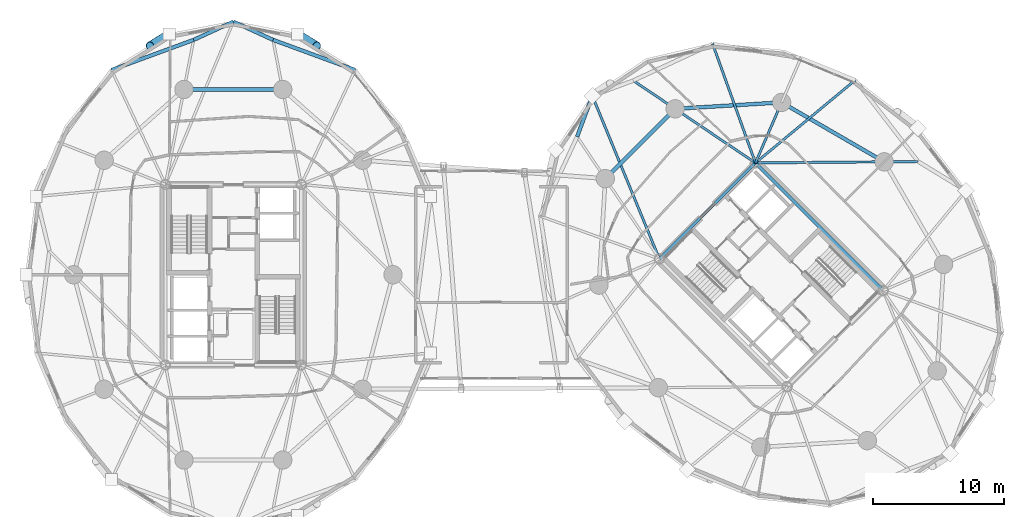
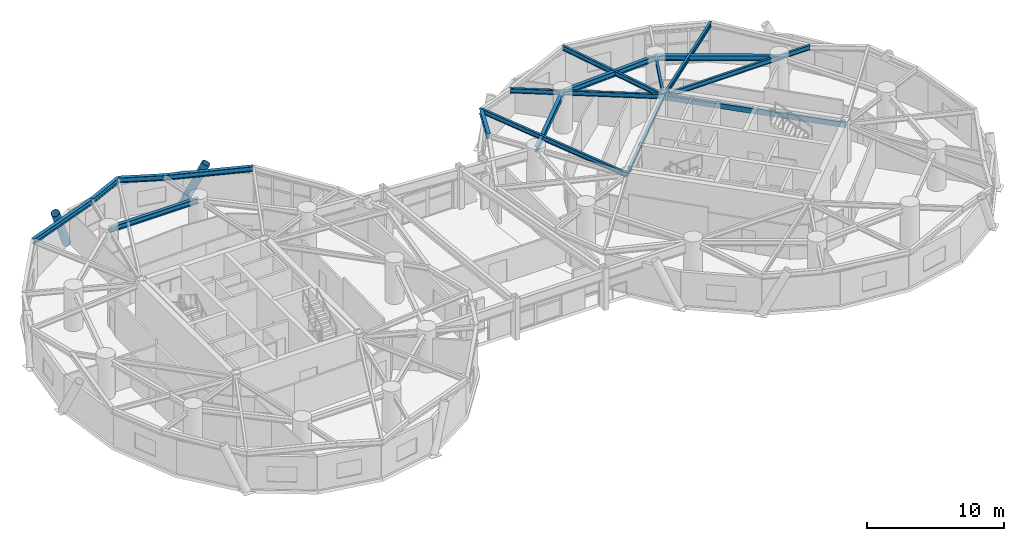
# One storey, part 7 of 20: 17 beams, 2 members.
"""IFC4 building model written with IfcOpenShell, lengths in metres."""

from ifc_helpers import new_model, si_unit, direction, frame, origin, origin_2d, place, context, subcontext, project, spatial, hollow_rectangle, hollow_circle, i_section, extrude, material, material_profile, profile_set, type_object, element, save


model = new_model("IFC4")

# Units and contexts
model_context = context("Model", 3, precision=1e-05, world=origin(), true_north=direction((0.0, 1.0)))
body_context = subcontext(model_context, "Body", "Model", "MODEL_VIEW")
ifc_project = project(units=[si_unit("LENGTHUNIT", "METRE"), si_unit("AREAUNIT", "SQUARE_METRE"), si_unit("VOLUMEUNIT", "CUBIC_METRE"), si_unit("PLANEANGLEUNIT", "RADIAN"), si_unit("MASSUNIT", "GRAM", prefix="KILO")], contexts=[model_context])

# Site, building, storey
site_placement = place(None, origin())
site = spatial("IfcSite", under=ifc_project, at=site_placement, CompositionType="ELEMENT")
building_placement = place(site_placement, origin())
building = spatial("IfcBuilding", under=site, at=building_placement, Name="Cununo Teusaquillo Station Towers", CompositionType="ELEMENT")
storey_placement = place(building_placement, frame((0.0, 0.0, 129.159912109375)))
storey = spatial("IfcBuildingStorey", under=building, at=storey_placement, Name="L41", CompositionType="ELEMENT", Elevation=129.159912109375)

# Beams
ifc_material_1 = material(Name="Steel EN 10025-2 S355J2", Category="steel")
ifc_material_profile_1 = material_profile(ifc_material_1, hollow_rectangle(XDim=0.25, YDim=0.449951171875, WallThickness=0.01611328125, at=origin_2d()), Name="RHS 450x250x16")
ifc_profile_set_1 = profile_set([ifc_material_profile_1], Name="Steel EN 10025-2 S355J2")
beam_type_1 = type_object("IfcBeamType", Name="BM-COUP-1", PredefinedType="USERDEFINED", material=ifc_profile_set_1)
beam_1_placement = place(storey_placement, frame((66.024169921875, 23.29443359375, 3.215087890625), z_axis=(-0.707106781187, 0.707106781187, 0.0), x_axis=(-0.707106781187, -0.707106781187, 0.0)))
element("IfcBeam", 1, at=beam_1_placement, inside=storey, type_object=beam_type_1, Name="L41 Tower B Core Beam 2", ObjectType="COUPLING BEAM", PredefinedType="USERDEFINED", context=body_context, shape_type="SweptSolid", body=[
    extrude(hollow_rectangle(XDim=0.25, YDim=0.449951171875, WallThickness=0.01611328125, at=origin_2d()), origin(), (0.0, 0.0, 1.0), 13.760009765625),
])
ifc_material_2 = material(Name="Steel ASTM A572 Grade 50", Category="steel")
ifc_material_profile_2 = material_profile(ifc_material_2, i_section(OverallWidth=0.180908203125, OverallDepth=0.4169921875, WebThickness=0.010986328125, FlangeThickness=0.018310546875, FilletRadius=0.012939453125, at=origin_2d()), Name="W16X57")
ifc_profile_set_2 = profile_set([ifc_material_profile_2], Name="Steel ASTM A572 Grade 50")
beam_type_2 = type_object("IfcBeamType", Name="BM-JOIST-1", PredefinedType="JOIST", material=ifc_profile_set_2)
beam_2_placement = place(storey_placement, frame((56.29443359375, 33.024169921875, 3.231689453125), z_axis=(0.769727799615, 0.638372238196, 0.0), x_axis=(-0.638372238196, 0.769727799615, 0.0)))
element("IfcBeam", 2, at=beam_2_placement, inside=storey, type_object=beam_type_2, Name="L41 Tower B Radial Spandrel Joist V01", PredefinedType="JOIST", context=body_context, shape_type="SweptSolid", body=[
    extrude(i_section(OverallWidth=0.180908203125, OverallDepth=0.4169921875, WebThickness=0.010986328125, FlangeThickness=0.018310546875, FilletRadius=0.012939453125, at=origin_2d()), origin(), (0.0, 0.0, 1.0), 9.895263671875),
])
beam_3_placement = place(storey_placement, frame((56.29443359375, 33.024169921875, 3.231689453125), z_axis=(-0.338176312038, 0.941082771055, 0.0), x_axis=(-0.941082771055, -0.338176312038, 0.0)))
element("IfcBeam", 3, at=beam_3_placement, inside=storey, type_object=beam_type_2, Name="L41 Tower B Radial Spandrel Joist V03", PredefinedType="JOIST", context=body_context, shape_type="SweptSolid", body=[
    extrude(i_section(OverallWidth=0.180908203125, OverallDepth=0.4169921875, WebThickness=0.010986328125, FlangeThickness=0.018310546875, FilletRadius=0.012939453125, at=origin_2d()), origin(), (0.0, 0.0, 1.0), 9.646484375),
])
beam_4_placement = place(storey_placement, frame((48.975830078125, 25.70556640625, 3.231689453125), z_axis=(-0.380485864505, 0.924786735908, 0.0), x_axis=(-0.924786735908, -0.380485864505, 0.0)))
element("IfcBeam", 4, at=beam_4_placement, inside=storey, type_object=beam_type_2, Name="L41 Tower B Radial Spandrel Joist V05", PredefinedType="JOIST", context=body_context, shape_type="SweptSolid", body=[
    extrude(i_section(OverallWidth=0.180908203125, OverallDepth=0.4169921875, WebThickness=0.010986328125, FlangeThickness=0.018310546875, FilletRadius=0.012939453125, at=origin_2d()), origin(), (0.0, 0.0, 1.0), 13.44580078125),
])
ifc_material_3 = material(Name="Steel ASTM A572 Grade 50", Category="steel")
ifc_material_profile_3 = material_profile(ifc_material_3, i_section(OverallWidth=0.2041015625, OverallDepth=0.35009765625, WebThickness=0.008544921875, FlangeThickness=0.01513671875, FilletRadius=0.011962890625, at=origin_2d()), Name="W14X48")
ifc_profile_set_3 = profile_set([ifc_material_profile_3], Name="Steel ASTM A572 Grade 50")
beam_type_3 = type_object("IfcBeamType", Name="BM-LINTEL-1", PredefinedType="LINTEL", material=ifc_profile_set_3)
beam_5_placement = place(storey_placement, frame((48.975830078125, 25.70556640625, 3.26513671875), z_axis=(0.707106781187, 0.707106781187, 0.0), x_axis=(-0.707106781187, 0.707106781187, 0.0)))
element("IfcBeam", 5, at=beam_5_placement, inside=storey, type_object=beam_type_3, Name="L41 Tower B Core Beam 4", PredefinedType="LINTEL", context=body_context, shape_type="SweptSolid", body=[
    extrude(i_section(OverallWidth=0.2041015625, OverallDepth=0.35009765625, WebThickness=0.008544921875, FlangeThickness=0.01513671875, FilletRadius=0.011962890625, at=origin_2d()), origin(), (0.0, 0.0, 1.0), 10.35009765625),
])
ifc_material_4 = material(Name="Steel ASTM A572 Grade 50", Category="steel")
ifc_material_profile_4 = material_profile(ifc_material_4, i_section(OverallWidth=0.180908203125, OverallDepth=0.4169921875, WebThickness=0.010986328125, FlangeThickness=0.018310546875, FilletRadius=0.012939453125, at=origin_2d()), Name="W16X57")
ifc_profile_set_4 = profile_set([ifc_material_profile_4], Name="Steel ASTM A572 Grade 50")
beam_type_4 = type_object("IfcBeamType", Name="BM-RAD-G2", PredefinedType="BEAM", material=ifc_profile_set_4)
beam_6_placement = place(storey_placement, frame((56.29443359375, 33.024169921875, 3.231689453125), z_axis=(0.999964331255, 0.008446077024, 0.0), x_axis=(-0.008446077024, 0.999964331255, 0.0)))
element("IfcBeam", 6, at=beam_6_placement, inside=storey, type_object=beam_type_4, Name="L41 Tower B Continuous Overhanging Radial Girder 01", PredefinedType="BEAM", context=body_context, shape_type="SweptSolid", body=[
    extrude(i_section(OverallWidth=0.180908203125, OverallDepth=0.4169921875, WebThickness=0.010986328125, FlangeThickness=0.018310546875, FilletRadius=0.012939453125, at=origin_2d()), origin(), (0.0, 0.0, 1.0), 12.400634765625),
])
beam_7_placement = place(storey_placement, frame((56.29443359375, 33.024169921875, 3.231689453125), z_axis=(0.397346986387, 0.917668443616, 0.0), x_axis=(-0.917668443616, 0.397346986387, 0.0)))
element("IfcBeam", 7, at=beam_7_placement, inside=storey, type_object=beam_type_4, Name="L41 Tower B Radial Girder 02A", PredefinedType="BEAM", context=body_context, shape_type="SweptSolid", body=[
    extrude(i_section(OverallWidth=0.180908203125, OverallDepth=0.4169921875, WebThickness=0.010986328125, FlangeThickness=0.018310546875, FilletRadius=0.012939453125, at=origin_2d()), origin(), (0.0, 0.0, 1.0), 5.02490234375),
])
beam_8_placement = place(storey_placement, frame((56.29443359375, 33.024169921875, 3.231689453125), z_axis=(-0.82945583878, 0.558572297481, 0.0), x_axis=(-0.558572297481, -0.82945583878, 0.0)))
element("IfcBeam", 8, at=beam_8_placement, inside=storey, type_object=beam_type_4, Name="L41 Tower B Continuous Overhanging Radial Girder 03", PredefinedType="BEAM", context=body_context, shape_type="SweptSolid", body=[
    extrude(i_section(OverallWidth=0.180908203125, OverallDepth=0.4169921875, WebThickness=0.010986328125, FlangeThickness=0.018310546875, FilletRadius=0.012939453125, at=origin_2d()), origin(), (0.0, 0.0, 1.0), 11.22998046875),
])
ifc_material_5 = material(Name="Steel ASTM A572 Grade 50", Category="steel")
ifc_material_profile_5 = material_profile(ifc_material_5, i_section(OverallWidth=0.280029296875, OverallDepth=0.462890625, WebThickness=0.0107421875, FlangeThickness=0.017333984375, FilletRadius=0.013916015625, at=origin_2d()), Name="W18X76")
ifc_profile_set_5 = profile_set([ifc_material_profile_5], Name="Steel ASTM A572 Grade 50")
beam_type_5 = type_object("IfcBeamType", Name="BM-RING-Z2", PredefinedType="SPANDREL", material=ifc_profile_set_5)
beam_9_placement = place(storey_placement, frame((20.261474609375, 38.623291015625, 3.20849609375), z_axis=(-1.0, 0.0, 0.0), x_axis=(0.0, -1.0, 0.0)))
element("IfcBeam", 9, at=beam_9_placement, inside=storey, type_object=beam_type_5, Name="L41 Tower A Structural Column Ring Girder 03", PredefinedType="SPANDREL", context=body_context, shape_type="SweptSolid", body=[
    extrude(i_section(OverallWidth=0.280029296875, OverallDepth=0.462890625, WebThickness=0.0107421875, FlangeThickness=0.017333984375, FilletRadius=0.013916015625, at=origin_2d()), origin(), (0.0, 0.0, 1.0), 7.52294921875),
])
beam_10_placement = place(storey_placement, frame((25.78759765625, 40.10595703125, 3.20849609375), z_axis=(-0.938914161016, 0.34415141761, 0.0), x_axis=(-0.34415141761, -0.938914161016, 0.0)))
element("IfcBeam", 10, at=beam_10_placement, inside=storey, type_object=beam_type_5, Name="L41 Tower A Spandrel Ring Beam 04", PredefinedType="SPANDREL", context=body_context, shape_type="SweptSolid", body=[
    extrude(i_section(OverallWidth=0.280029296875, OverallDepth=0.462890625, WebThickness=0.0107421875, FlangeThickness=0.017333984375, FilletRadius=0.013916015625, at=origin_2d()), origin(), (0.0, 0.0, 1.0), 6.671142578125),
])
for number, where, z_axis, x_axis, name in (
    (11, (19.52392578125, 42.40185546875, 3.20849609375), (-0.908812215281, 0.417205413862, 0.0), (-0.417205413862, -0.908812215281, 0.0), "L41 Tower A Spandrel Ring Beam 05"),
    (12, (16.5, 43.7900390625, 3.20849609375), (-0.908812215281, -0.417205413862, 0.0), (0.417205413862, -0.908812215281, 0.0), "L41 Tower A Spandrel Ring Beam 06"),
):
    element("IfcBeam", number, at=place(storey_placement, frame(where, z_axis=z_axis, x_axis=x_axis)), inside=storey, type_object=beam_type_5, Name=name, PredefinedType="SPANDREL", context=body_context, shape_type="SweptSolid", body=[
        extrude(i_section(OverallWidth=0.280029296875, OverallDepth=0.462890625, WebThickness=0.0107421875, FlangeThickness=0.017333984375, FilletRadius=0.013916015625, at=origin_2d()), origin(), (0.0, 0.0, 1.0), 3.327392578125),
    ])
beam_11_placement = place(storey_placement, frame((13.47607421875, 42.40185546875, 3.20849609375), z_axis=(-0.938914161016, -0.34415141761, 0.0), x_axis=(0.34415141761, -0.938914161016, 0.0)))
element("IfcBeam", 13, at=beam_11_placement, inside=storey, type_object=beam_type_5, Name="L41 Tower A Spandrel Ring Beam 07", PredefinedType="SPANDREL", context=body_context, shape_type="SweptSolid", body=[
    extrude(i_section(OverallWidth=0.280029296875, OverallDepth=0.462890625, WebThickness=0.0107421875, FlangeThickness=0.017333984375, FilletRadius=0.013916015625, at=origin_2d()), origin(), (0.0, 0.0, 1.0), 6.671142578125),
])
beam_12_placement = place(storey_placement, frame((66.10693359375, 33.10693359375, 3.20849609375), z_axis=(-0.865267103202, 0.501311121078, 0.0), x_axis=(-0.501311121078, -0.865267103202, 0.0)))
element("IfcBeam", 14, at=beam_12_placement, inside=storey, type_object=beam_type_5, Name="L41 Tower B Structural Column Ring Girder 01", PredefinedType="SPANDREL", context=body_context, shape_type="SweptSolid", body=[
    extrude(i_section(OverallWidth=0.280029296875, OverallDepth=0.462890625, WebThickness=0.0107421875, FlangeThickness=0.017333984375, FilletRadius=0.013916015625, at=origin_2d()), origin(), (0.0, 0.0, 1.0), 9.032958984375),
])
beam_13_placement = place(storey_placement, frame((58.291015625, 37.63525390625, 3.20849609375), z_axis=(-0.998190567048, -0.06012979176, 0.0), x_axis=(0.06012979176, -0.998190567048, 0.0)))
element("IfcBeam", 15, at=beam_13_placement, inside=storey, type_object=beam_type_5, Name="L41 Tower B Structural Column Ring Girder 02", PredefinedType="SPANDREL", context=body_context, shape_type="SweptSolid", body=[
    extrude(i_section(OverallWidth=0.280029296875, OverallDepth=0.462890625, WebThickness=0.0107421875, FlangeThickness=0.017333984375, FilletRadius=0.013916015625, at=origin_2d()), origin(), (0.0, 0.0, 1.0), 8.132568359375),
])
beam_14_placement = place(storey_placement, frame((50.173095703125, 37.146240234375, 3.20849609375), z_axis=(-0.707106781187, -0.707106781187, 0.0), x_axis=(0.707106781187, -0.707106781187, 0.0)))
element("IfcBeam", 16, at=beam_14_placement, inside=storey, type_object=beam_type_5, Name="L41 Tower B Structural Column Ring Girder 03", PredefinedType="SPANDREL", context=body_context, shape_type="SweptSolid", body=[
    extrude(i_section(OverallWidth=0.280029296875, OverallDepth=0.462890625, WebThickness=0.0107421875, FlangeThickness=0.017333984375, FilletRadius=0.013916015625, at=origin_2d()), origin(), (0.0, 0.0, 1.0), 7.522705078125),
])
beam_15_placement = place(storey_placement, frame((43.85986328125, 38.14013671875, 3.20849609375), z_axis=(-0.347639333943, -0.937628334414, 0.0), x_axis=(0.937628334414, -0.347639333943, 0.0)))
element("IfcBeam", 17, at=beam_15_placement, inside=storey, type_object=beam_type_5, Name="L41 Tower B Spandrel Ring Beam 06", PredefinedType="SPANDREL", context=body_context, shape_type="SweptSolid", body=[
    extrude(i_section(OverallWidth=0.280029296875, OverallDepth=0.462890625, WebThickness=0.0107421875, FlangeThickness=0.017333984375, FilletRadius=0.013916015625, at=origin_2d()), origin(), (0.0, 0.0, 1.0), 3.327392578125),
])

# Members
ifc_material_6 = material(Name="Steel EN 10025-2 S355J2", Category="steel")
ifc_material_profile_6 = material_profile(ifc_material_6, hollow_circle(Radius=0.330078125, WallThickness=0.02490234375, at=origin_2d()), Name="CHS 660x25")
ifc_profile_set_6 = profile_set([ifc_material_profile_6], Name="Steel EN 10025-2 S355J2")
member_type = type_object("IfcMemberType", Name="MBR-DIAG-Z2", PredefinedType="BRACE", material=ifc_profile_set_6)
for number, where, z_axis, x_axis, name in (
    (18, (21.3828125, 42.845947265625, -0.139892578125), (0.35791948, -0.222643294759, 0.906820604715), (0.528195574716, 0.849122744278, 0.0), "L41 Tower A Folded-Zigzag Diagrid Tube C03"),
    (19, (11.6171875, 42.845947265625, -0.139892578125), (-0.35791948, -0.222643294759, 0.906820604715), (0.528195574716, -0.849122744278, 0.0), "L41 Tower A Folded-Zigzag Diagrid Tube C06"),
):
    element("IfcMember", number, at=place(storey_placement, frame(where, z_axis=z_axis, x_axis=x_axis)), inside=storey, type_object=member_type, Name=name, PredefinedType="BRACE", context=body_context, shape_type="SweptSolid", body=[
        extrude(hollow_circle(Radius=0.330078125, WallThickness=0.02490234375, at=origin_2d()), origin(), (0.0, 0.0, 1.0), 4.102294921875),
    ])

save(model, "model.ifc")
